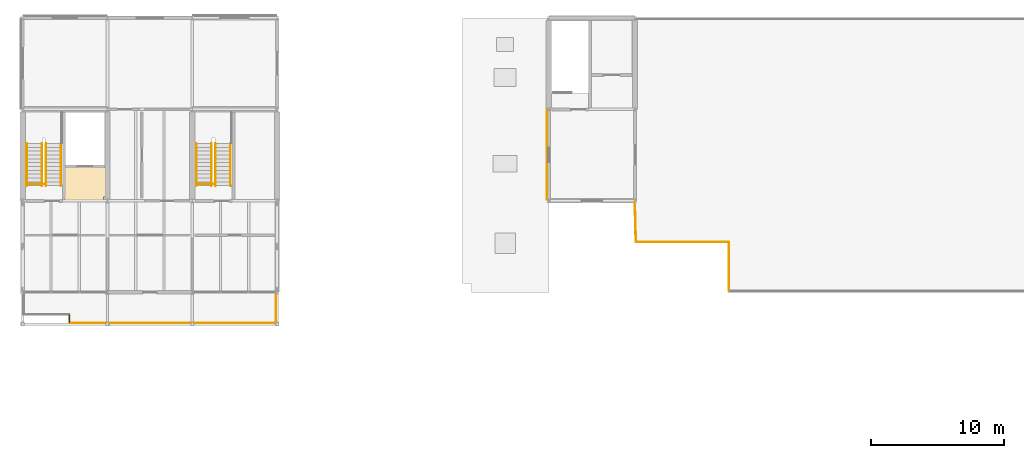
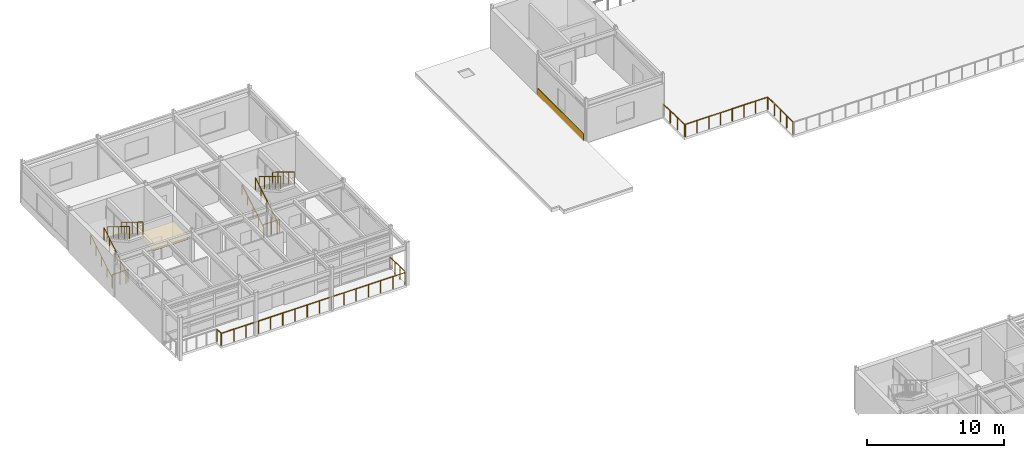
# One storey, part 24 of 26: 16 railings, 2 coverings.
"""IFC4 building model written with IfcOpenShell, lengths in metres."""

from ifc_helpers import new_model, si_unit, direction, frame, origin, origin_2d, place, context, subcontext, project, spatial, polyline, rectangle, circle, outline, extrude, material, layer, layer_set, type_object, element, save


model = new_model("IFC4")

# Units and contexts
model_context = context("Model", 3, precision=1e-05, world=origin(), true_north=direction((0.0, 1.0)))
body_context = subcontext(model_context, "Body", "Model", "MODEL_VIEW")
ifc_project = project(units=[si_unit("LENGTHUNIT", "METRE"), si_unit("AREAUNIT", "SQUARE_METRE"), si_unit("VOLUMEUNIT", "CUBIC_METRE"), si_unit("PLANEANGLEUNIT", "RADIAN"), si_unit("MASSUNIT", "GRAM", prefix="KILO")], contexts=[model_context])

# Site, building, storey
site_placement = place(None, origin())
site = spatial("IfcSite", under=ifc_project, at=site_placement, CompositionType="ELEMENT")
building_placement = place(site_placement, origin())
building = spatial("IfcBuilding", under=site, at=building_placement, Name="Trelmorton Wharf Fire Station", CompositionType="ELEMENT")
storey_placement = place(building_placement, frame((0.0, 0.0, 17.39990234375)))
storey = spatial("IfcBuildingStorey", under=building, at=storey_placement, Name="L04", CompositionType="ELEMENT", Elevation=17.39990234375)

# Coverings
ifc_material_1 = material(Name="Mineral fibre acoustic ceiling")
ifc_layer_1 = layer(ifc_material_1, 0.02001953125)
ifc_layer_set_1 = layer_set([ifc_layer_1], Name="Mineral fibre acoustic ceiling")
covering_type_1 = type_object("IfcCoveringType", Name="CV_CEIL_ACOU", PredefinedType="CEILING", material=ifc_layer_set_1)
covering_1_placement = place(storey_placement, frame((0.0, 0.0, 2.97998046875)))
element("IfcCovering", 1, at=covering_1_placement, inside=storey, type_object=covering_type_1, Name="CV-CLG-038", PredefinedType="CEILING", context=body_context, shape_type="SweptSolid", body=[
    extrude(outline(polyline([(73.9599609375, 67.239990234375), (73.9599609375, 69.760009765625), (77.159912109375, 69.760009765625), (77.159912109375, 67.5), (76.89990234375, 67.5), (76.89990234375, 67.239990234375), (73.9599609375, 67.239990234375)])), origin(), (0.0, 0.0, 1.0), 0.02001953125),
])
ifc_material_2 = material(Name="Architectural terracotta cladding", Category="masonry")
ifc_layer_2 = layer(ifc_material_2, 0.044921875)
ifc_layer_set_2 = layer_set([ifc_layer_2], Name="Architectural terracotta cladding")
covering_type_2 = type_object("IfcCoveringType", Name="CV_CLAD_TER", PredefinedType="CLADDING", material=ifc_layer_set_2)
covering_2_placement = place(storey_placement, frame((110.364990234375, 70.64990234375, 0.0302734375), z_axis=(0.0, 0.0, 1.0), x_axis=(0.0, 1.0, 0.0)))
element("IfcCovering", 2, at=covering_2_placement, inside=storey, type_object=covering_type_2, Name="CV-TER-0047", PredefinedType="CLADDING", context=body_context, shape_type="SweptSolid", body=[
    extrude(rectangle(XDim=6.77001953125, YDim=0.044921875, at=origin_2d()), origin(), (0.0, 0.0, 1.0), 0.659912109375),
])

# Railings
ifc_material_3 = material(Name="Signal-red architectural steel Grade 350", Category="steel")
railing_type_1 = type_object("IfcRailingType", Name="RL_BAL_RED", PredefinedType="BALUSTRADE", material=ifc_material_3)
railing_1_placement = place(storey_placement, frame((74.320068359375, 58.580078125, 0.0)))
element("IfcRailing", 3, at=railing_1_placement, inside=storey, type_object=railing_type_1, Name="RL-DECK-L04-069", PredefinedType="BALUSTRADE", context=body_context, shape_type="SweptSolid", body=[
    extrude(circle(Radius=0.02392578125, at=origin_2d()), frame((0.0, 0.0, 1.09619140625), z_axis=(0.0, -1.0, 0.0), x_axis=(1.0, 0.0, 0.0)), (0.0, 0.0, 1.0), 0.56005859375),
    extrude(circle(Radius=0.02099609375, at=origin_2d()), origin(), (0.0, 0.0, 1.0), 1.072021484375),
    extrude(circle(Radius=0.02099609375, at=origin_2d()), frame((0.0, -0.56005859375, 0.0)), (0.0, 0.0, 1.0), 1.072021484375),
])
railing_2_placement = place(storey_placement, frame((74.360107421875, 57.97998046875, 0.0)))
element("IfcRailing", 4, at=railing_2_placement, inside=storey, type_object=railing_type_1, Name="RL-DECK-L04-070", PredefinedType="BALUSTRADE", context=body_context, shape_type="SweptSolid", body=[
    extrude(circle(Radius=0.02392578125, at=origin_2d()), frame((0.0, 0.0, 1.09619140625), z_axis=(1.0, 0.0, 0.0), x_axis=(0.0, 1.0, 0.0)), (0.0, 0.0, 1.0), 15.519775390625),
    extrude(circle(Radius=0.02099609375, at=origin_2d()), origin(), (0.0, 0.0, 1.0), 1.072021484375),
    extrude(circle(Radius=0.02099609375, at=origin_2d()), frame((1.03466796875, 0.0, 0.0)), (0.0, 0.0, 1.0), 1.072021484375),
    extrude(circle(Radius=0.02099609375, at=origin_2d()), frame((2.0693359375, 0.0, 0.0)), (0.0, 0.0, 1.0), 1.072021484375),
    extrude(circle(Radius=0.02099609375, at=origin_2d()), frame((3.10400390625, 0.0, 0.0)), (0.0, 0.0, 1.0), 1.072021484375),
    extrude(circle(Radius=0.02099609375, at=origin_2d()), frame((4.138671875, 0.0, 0.0)), (0.0, 0.0, 1.0), 1.072021484375),
    extrude(circle(Radius=0.02099609375, at=origin_2d()), frame((5.17333984375, 0.0, 0.0)), (0.0, 0.0, 1.0), 1.072021484375),
    extrude(circle(Radius=0.02099609375, at=origin_2d()), frame((6.2080078125, 0.0, 0.0)), (0.0, 0.0, 1.0), 1.072021484375),
    extrude(circle(Radius=0.02099609375, at=origin_2d()), frame((7.24267578125, 0.0, 0.0)), (0.0, 0.0, 1.0), 1.072021484375),
    extrude(circle(Radius=0.02099609375, at=origin_2d()), frame((8.277099609375, 0.0, 0.0)), (0.0, 0.0, 1.0), 1.072021484375),
    extrude(circle(Radius=0.02099609375, at=origin_2d()), frame((9.311767578125, 0.0, 0.0)), (0.0, 0.0, 1.0), 1.072021484375),
    extrude(circle(Radius=0.02099609375, at=origin_2d()), frame((10.346435546875, 0.0, 0.0)), (0.0, 0.0, 1.0), 1.072021484375),
    extrude(circle(Radius=0.02099609375, at=origin_2d()), frame((11.381103515625, 0.0, 0.0)), (0.0, 0.0, 1.0), 1.072021484375),
    extrude(circle(Radius=0.02099609375, at=origin_2d()), frame((12.415771484375, 0.0, 0.0)), (0.0, 0.0, 1.0), 1.072021484375),
    extrude(circle(Radius=0.02099609375, at=origin_2d()), frame((13.450439453125, 0.0, 0.0)), (0.0, 0.0, 1.0), 1.072021484375),
    extrude(circle(Radius=0.02099609375, at=origin_2d()), frame((14.485107421875, 0.0, 0.0)), (0.0, 0.0, 1.0), 1.072021484375),
    extrude(circle(Radius=0.02099609375, at=origin_2d()), frame((15.519775390625, 0.0, 0.0)), (0.0, 0.0, 1.0), 1.072021484375),
])
railing_3_placement = place(storey_placement, frame((89.919921875, 58.02001953125, 0.0)))
element("IfcRailing", 5, at=railing_3_placement, inside=storey, type_object=railing_type_1, Name="RL-DECK-L04-071", PredefinedType="BALUSTRADE", context=body_context, shape_type="SweptSolid", body=[
    extrude(circle(Radius=0.02392578125, at=origin_2d()), frame((0.0, 0.0, 1.09619140625), z_axis=(0.0, 1.0, 0.0), x_axis=(-1.0, 0.0, 0.0)), (0.0, 0.0, 1.0), 2.239990234375),
    extrude(circle(Radius=0.02099609375, at=origin_2d()), origin(), (0.0, 0.0, 1.0), 1.072021484375),
    extrude(circle(Radius=0.02099609375, at=origin_2d()), frame((0.0, 0.74658203125, 0.0)), (0.0, 0.0, 1.0), 1.072021484375),
    extrude(circle(Radius=0.02099609375, at=origin_2d()), frame((0.0, 1.493408203125, 0.0)), (0.0, 0.0, 1.0), 1.072021484375),
    extrude(circle(Radius=0.02099609375, at=origin_2d()), frame((0.0, 2.239990234375, 0.0)), (0.0, 0.0, 1.0), 1.072021484375),
])
railing_4_placement = place(storey_placement, frame((117.0009765625, 67.159912109375, 0.0)))
element("IfcRailing", 6, at=railing_4_placement, inside=storey, type_object=railing_type_1, Name="RL-DECK-L04-086", PredefinedType="BALUSTRADE", context=body_context, shape_type="SweptSolid", body=[
    extrude(circle(Radius=0.02392578125, at=origin_2d()), frame((0.0, 0.0, 1.09619140625), z_axis=(0.025860386465, -0.999665564282, 0.0), x_axis=(0.999665564282, 0.025860386465, 0.0)), (0.0, 0.0, 1.0), 3.02099609375),
    extrude(circle(Radius=0.02099609375, at=origin_2d()), origin(), (0.0, 0.0, 1.0), 1.072021484375),
    extrude(circle(Radius=0.02099609375, at=origin_2d()), frame((0.026123046875, -1.006591796875, 0.0)), (0.0, 0.0, 1.0), 1.072021484375),
    extrude(circle(Radius=0.02099609375, at=origin_2d()), frame((0.052001953125, -2.013427734375, 0.0)), (0.0, 0.0, 1.0), 1.072021484375),
    extrude(circle(Radius=0.02099609375, at=origin_2d()), frame((0.078125, -3.02001953125, 0.0)), (0.0, 0.0, 1.0), 1.072021484375),
])
railing_5_placement = place(storey_placement, frame((117.1201171875, 64.10009765625, 0.0)))
element("IfcRailing", 7, at=railing_5_placement, inside=storey, type_object=railing_type_1, Name="RL-DECK-L04-087", PredefinedType="BALUSTRADE", context=body_context, shape_type="SweptSolid", body=[
    extrude(circle(Radius=0.02392578125, at=origin_2d()), frame((0.0, 0.0, 1.09619140625), z_axis=(1.0, 0.0, 0.0), x_axis=(0.0, 1.0, 0.0)), (0.0, 0.0, 1.0), 6.93994140625),
    extrude(circle(Radius=0.02099609375, at=origin_2d()), origin(), (0.0, 0.0, 1.0), 1.072021484375),
    extrude(circle(Radius=0.02099609375, at=origin_2d()), frame((0.991455078125, 0.0, 0.0)), (0.0, 0.0, 1.0), 1.072021484375),
    extrude(circle(Radius=0.02099609375, at=origin_2d()), frame((1.98291015625, 0.0, 0.0)), (0.0, 0.0, 1.0), 1.072021484375),
    extrude(circle(Radius=0.02099609375, at=origin_2d()), frame((2.974365234375, 0.0, 0.0)), (0.0, 0.0, 1.0), 1.072021484375),
    extrude(circle(Radius=0.02099609375, at=origin_2d()), frame((3.965576171875, 0.0, 0.0)), (0.0, 0.0, 1.0), 1.072021484375),
    extrude(circle(Radius=0.02099609375, at=origin_2d()), frame((4.95703125, 0.0, 0.0)), (0.0, 0.0, 1.0), 1.072021484375),
    extrude(circle(Radius=0.02099609375, at=origin_2d()), frame((5.948486328125, 0.0, 0.0)), (0.0, 0.0, 1.0), 1.072021484375),
    extrude(circle(Radius=0.02099609375, at=origin_2d()), frame((6.93994140625, 0.0, 0.0)), (0.0, 0.0, 1.0), 1.072021484375),
])
railing_6_placement = place(storey_placement, frame((124.10009765625, 64.06005859375, 0.0)))
element("IfcRailing", 8, at=railing_6_placement, inside=storey, type_object=railing_type_1, Name="RL-DECK-L04-088", PredefinedType="BALUSTRADE", context=body_context, shape_type="SweptSolid", body=[
    extrude(circle(Radius=0.02392578125, at=origin_2d()), frame((0.0, 0.0, 1.09619140625), z_axis=(0.0, -1.0, 0.0), x_axis=(1.0, 0.0, 0.0)), (0.0, 0.0, 1.0), 3.64013671875),
    extrude(circle(Radius=0.02099609375, at=origin_2d()), origin(), (0.0, 0.0, 1.0), 1.072021484375),
    extrude(circle(Radius=0.02099609375, at=origin_2d()), frame((0.0, -0.91015625, 0.0)), (0.0, 0.0, 1.0), 1.072021484375),
    extrude(circle(Radius=0.02099609375, at=origin_2d()), frame((0.0, -1.820068359375, 0.0)), (0.0, 0.0, 1.0), 1.072021484375),
    extrude(circle(Radius=0.02099609375, at=origin_2d()), frame((0.0, -2.72998046875, 0.0)), (0.0, 0.0, 1.0), 1.072021484375),
    extrude(circle(Radius=0.02099609375, at=origin_2d()), frame((0.0, -3.64013671875, 0.0)), (0.0, 0.0, 1.0), 1.072021484375),
])
ifc_material_4 = material(Name="Stainless steel 316 marine grade", Category="steel")
railing_type_2 = type_object("IfcRailingType", Name="RL_HAND_900", PredefinedType="HANDRAIL", material=ifc_material_4)
for number, where, name in (
    (9, (71.110107421875, 68.340087890625, 0.0), "RL-HR1-STR-C6-L04-25"),
    (10, (83.909912109375, 68.340087890625, 0.0), "RL-HR1-STR-C6B-L04-31"),
):
    element("IfcRailing", number, at=place(storey_placement, frame(where)), inside=storey, type_object=railing_type_2, Name=name, PredefinedType="HANDRAIL", context=body_context, shape_type="SweptSolid", body=[
        extrude(circle(Radius=0.02099609375, at=origin_2d()), frame((0.0, 0.0, 0.87890625), z_axis=(0.0, 0.853188201146, 0.521603195374), x_axis=(-1.0, 0.0, 0.0)), (0.0, 0.0, 1.0), 3.73876953125),
        extrude(circle(Radius=0.02099609375, at=origin_2d()), origin(), (0.0, 0.0, 1.0), 0.85791015625),
        extrude(circle(Radius=0.02099609375, at=origin_2d()), frame((0.0, 0.79736328125, 0.487548828125)), (0.0, 0.0, 1.0), 0.85791015625),
        extrude(circle(Radius=0.02099609375, at=origin_2d()), frame((0.0, 1.594970703125, 0.97509765625)), (0.0, 0.0, 1.0), 0.85791015625),
        extrude(circle(Radius=0.02099609375, at=origin_2d()), frame((0.0, 2.392578125, 1.462646484375)), (0.0, 0.0, 1.0), 0.85791015625),
        extrude(circle(Radius=0.02099609375, at=origin_2d()), frame((0.0, 3.18994140625, 1.9501953125)), (0.0, 0.0, 1.0), 0.85791015625),
    ])
railing_type_3 = type_object("IfcRailingType", Name="RL_WELL_1100", PredefinedType="BALUSTRADE", material=ifc_material_4)
railing_7_placement = place(storey_placement, frame((71.159912109375, 68.4599609375, 0.0)))
element("IfcRailing", 11, at=railing_7_placement, inside=storey, type_object=railing_type_3, Name="RL-UPWELL-STR-C6-L03-24", PredefinedType="BALUSTRADE", context=body_context, shape_type="SweptSolid", body=[
    extrude(circle(Radius=0.02392578125, at=origin_2d()), frame((0.0, 0.0, 1.09619140625), z_axis=(1.0, 0.0, 0.0), x_axis=(0.0, 1.0, 0.0)), (0.0, 0.0, 1.0), 1.340087890625),
    extrude(circle(Radius=0.02099609375, at=origin_2d()), origin(), (0.0, 0.0, 1.0), 1.072021484375),
    extrude(circle(Radius=0.02099609375, at=origin_2d()), frame((0.669921875, 0.0, 0.0)), (0.0, 0.0, 1.0), 1.072021484375),
    extrude(circle(Radius=0.02099609375, at=origin_2d()), frame((1.340087890625, 0.0, 0.0)), (0.0, 0.0, 1.0), 1.072021484375),
])
railing_8_placement = place(storey_placement, frame((73.68994140625, 71.530029296875, 1.9501953125)))
element("IfcRailing", 12, at=railing_8_placement, inside=storey, type_object=railing_type_3, Name="RL-GW-OUT2-STR-C6-L04-25", PredefinedType="BALUSTRADE", context=body_context, shape_type="SweptSolid", body=[
    extrude(circle(Radius=0.02392578125, at=origin_2d()), frame((0.0, 0.0, 1.09619140625), z_axis=(0.0, -0.853217260254, 0.521555660313), x_axis=(1.0, 0.0, 0.0)), (0.0, 0.0, 1.0), 3.73876953125),
    extrude(circle(Radius=0.02099609375, at=origin_2d()), origin(), (0.0, 0.0, 1.0), 1.072021484375),
    extrude(circle(Radius=0.02099609375, at=origin_2d()), frame((0.0, -0.79736328125, 0.487548828125)), (0.0, 0.0, 1.0), 1.072021484375),
    extrude(circle(Radius=0.02099609375, at=origin_2d()), frame((0.0, -1.594970703125, 0.97509765625)), (0.0, 0.0, 1.0), 1.072021484375),
    extrude(circle(Radius=0.02099609375, at=origin_2d()), frame((0.0, -2.392578125, 1.46240234375)), (0.0, 0.0, 1.0), 1.072021484375),
    extrude(circle(Radius=0.02099609375, at=origin_2d()), frame((0.0, -3.18994140625, 1.949951171875)), (0.0, 0.0, 1.0), 1.072021484375),
])
railing_9_placement = place(storey_placement, frame((72.25, 68.340087890625, 0.0)))
element("IfcRailing", 13, at=railing_9_placement, inside=storey, type_object=railing_type_3, Name="RL-GW-IN1-STR-C6-L04-25", PredefinedType="BALUSTRADE", context=body_context, shape_type="SweptSolid", body=[
    extrude(circle(Radius=0.02392578125, at=origin_2d()), frame((0.0, 0.0, 1.09619140625), z_axis=(0.0, 0.853188201146, 0.521603195374), x_axis=(-1.0, 0.0, 0.0)), (0.0, 0.0, 1.0), 3.73876953125),
    extrude(circle(Radius=0.02099609375, at=origin_2d()), origin(), (0.0, 0.0, 1.0), 1.072021484375),
    extrude(circle(Radius=0.02099609375, at=origin_2d()), frame((0.0, 0.79736328125, 0.487548828125)), (0.0, 0.0, 1.0), 1.072021484375),
    extrude(circle(Radius=0.02099609375, at=origin_2d()), frame((0.0, 1.594970703125, 0.97509765625)), (0.0, 0.0, 1.0), 1.072021484375),
    extrude(circle(Radius=0.02099609375, at=origin_2d()), frame((0.0, 2.392578125, 1.462646484375)), (0.0, 0.0, 1.0), 1.072021484375),
    extrude(circle(Radius=0.02099609375, at=origin_2d()), frame((0.0, 3.18994140625, 1.9501953125)), (0.0, 0.0, 1.0), 1.072021484375),
])
railing_10_placement = place(storey_placement, frame((72.550048828125, 71.530029296875, 1.9501953125)))
element("IfcRailing", 14, at=railing_10_placement, inside=storey, type_object=railing_type_3, Name="RL-GW-IN2-STR-C6-L04-25", PredefinedType="BALUSTRADE", context=body_context, shape_type="SweptSolid", body=[
    extrude(circle(Radius=0.02392578125, at=origin_2d()), frame((0.0, 0.0, 1.09619140625), z_axis=(0.0, -0.853217260254, 0.521555660313), x_axis=(1.0, 0.0, 0.0)), (0.0, 0.0, 1.0), 3.73876953125),
    extrude(circle(Radius=0.02099609375, at=origin_2d()), origin(), (0.0, 0.0, 1.0), 1.072021484375),
    extrude(circle(Radius=0.02099609375, at=origin_2d()), frame((0.0, -0.79736328125, 0.487548828125)), (0.0, 0.0, 1.0), 1.072021484375),
    extrude(circle(Radius=0.02099609375, at=origin_2d()), frame((0.0, -1.594970703125, 0.97509765625)), (0.0, 0.0, 1.0), 1.072021484375),
    extrude(circle(Radius=0.02099609375, at=origin_2d()), frame((0.0, -2.392578125, 1.46240234375)), (0.0, 0.0, 1.0), 1.072021484375),
    extrude(circle(Radius=0.02099609375, at=origin_2d()), frame((0.0, -3.18994140625, 1.949951171875)), (0.0, 0.0, 1.0), 1.072021484375),
])
railing_11_placement = place(storey_placement, frame((83.9599609375, 68.4599609375, 0.0)))
element("IfcRailing", 15, at=railing_11_placement, inside=storey, type_object=railing_type_3, Name="RL-UPWELL-STR-C6B-L03-30", PredefinedType="BALUSTRADE", context=body_context, shape_type="SweptSolid", body=[
    extrude(circle(Radius=0.02392578125, at=origin_2d()), frame((0.0, 0.0, 1.09619140625), z_axis=(1.0, 0.0, 0.0), x_axis=(0.0, 1.0, 0.0)), (0.0, 0.0, 1.0), 1.340087890625),
    extrude(circle(Radius=0.02099609375, at=origin_2d()), origin(), (0.0, 0.0, 1.0), 1.072021484375),
    extrude(circle(Radius=0.02099609375, at=origin_2d()), frame((0.669921875, 0.0, 0.0)), (0.0, 0.0, 1.0), 1.072021484375),
    extrude(circle(Radius=0.02099609375, at=origin_2d()), frame((1.340087890625, 0.0, 0.0)), (0.0, 0.0, 1.0), 1.072021484375),
])
railing_12_placement = place(storey_placement, frame((86.489990234375, 71.530029296875, 1.9501953125)))
element("IfcRailing", 16, at=railing_12_placement, inside=storey, type_object=railing_type_3, Name="RL-GW-OUT2-STR-C6B-L04-31", PredefinedType="BALUSTRADE", context=body_context, shape_type="SweptSolid", body=[
    extrude(circle(Radius=0.02392578125, at=origin_2d()), frame((0.0, 0.0, 1.09619140625), z_axis=(0.0, -0.853217260254, 0.521555660313), x_axis=(1.0, 0.0, 0.0)), (0.0, 0.0, 1.0), 3.73876953125),
    extrude(circle(Radius=0.02099609375, at=origin_2d()), origin(), (0.0, 0.0, 1.0), 1.072021484375),
    extrude(circle(Radius=0.02099609375, at=origin_2d()), frame((0.0, -0.79736328125, 0.487548828125)), (0.0, 0.0, 1.0), 1.072021484375),
    extrude(circle(Radius=0.02099609375, at=origin_2d()), frame((0.0, -1.594970703125, 0.97509765625)), (0.0, 0.0, 1.0), 1.072021484375),
    extrude(circle(Radius=0.02099609375, at=origin_2d()), frame((0.0, -2.392578125, 1.46240234375)), (0.0, 0.0, 1.0), 1.072021484375),
    extrude(circle(Radius=0.02099609375, at=origin_2d()), frame((0.0, -3.18994140625, 1.949951171875)), (0.0, 0.0, 1.0), 1.072021484375),
])
railing_13_placement = place(storey_placement, frame((85.050048828125, 68.340087890625, 0.0)))
element("IfcRailing", 17, at=railing_13_placement, inside=storey, type_object=railing_type_3, Name="RL-GW-IN1-STR-C6B-L04-31", PredefinedType="BALUSTRADE", context=body_context, shape_type="SweptSolid", body=[
    extrude(circle(Radius=0.02392578125, at=origin_2d()), frame((0.0, 0.0, 1.09619140625), z_axis=(0.0, 0.853188201146, 0.521603195374), x_axis=(-1.0, 0.0, 0.0)), (0.0, 0.0, 1.0), 3.73876953125),
    extrude(circle(Radius=0.02099609375, at=origin_2d()), origin(), (0.0, 0.0, 1.0), 1.072021484375),
    extrude(circle(Radius=0.02099609375, at=origin_2d()), frame((0.0, 0.79736328125, 0.487548828125)), (0.0, 0.0, 1.0), 1.072021484375),
    extrude(circle(Radius=0.02099609375, at=origin_2d()), frame((0.0, 1.594970703125, 0.97509765625)), (0.0, 0.0, 1.0), 1.072021484375),
    extrude(circle(Radius=0.02099609375, at=origin_2d()), frame((0.0, 2.392578125, 1.462646484375)), (0.0, 0.0, 1.0), 1.072021484375),
    extrude(circle(Radius=0.02099609375, at=origin_2d()), frame((0.0, 3.18994140625, 1.9501953125)), (0.0, 0.0, 1.0), 1.072021484375),
])
railing_14_placement = place(storey_placement, frame((85.35009765625, 71.530029296875, 1.9501953125)))
element("IfcRailing", 18, at=railing_14_placement, inside=storey, type_object=railing_type_3, Name="RL-GW-IN2-STR-C6B-L04-31", PredefinedType="BALUSTRADE", context=body_context, shape_type="SweptSolid", body=[
    extrude(circle(Radius=0.02392578125, at=origin_2d()), frame((0.0, 0.0, 1.09619140625), z_axis=(0.0, -0.853217260254, 0.521555660313), x_axis=(1.0, 0.0, 0.0)), (0.0, 0.0, 1.0), 3.73876953125),
    extrude(circle(Radius=0.02099609375, at=origin_2d()), origin(), (0.0, 0.0, 1.0), 1.072021484375),
    extrude(circle(Radius=0.02099609375, at=origin_2d()), frame((0.0, -0.79736328125, 0.487548828125)), (0.0, 0.0, 1.0), 1.072021484375),
    extrude(circle(Radius=0.02099609375, at=origin_2d()), frame((0.0, -1.594970703125, 0.97509765625)), (0.0, 0.0, 1.0), 1.072021484375),
    extrude(circle(Radius=0.02099609375, at=origin_2d()), frame((0.0, -2.392578125, 1.46240234375)), (0.0, 0.0, 1.0), 1.072021484375),
    extrude(circle(Radius=0.02099609375, at=origin_2d()), frame((0.0, -3.18994140625, 1.949951171875)), (0.0, 0.0, 1.0), 1.072021484375),
])

save(model, "model.ifc")
